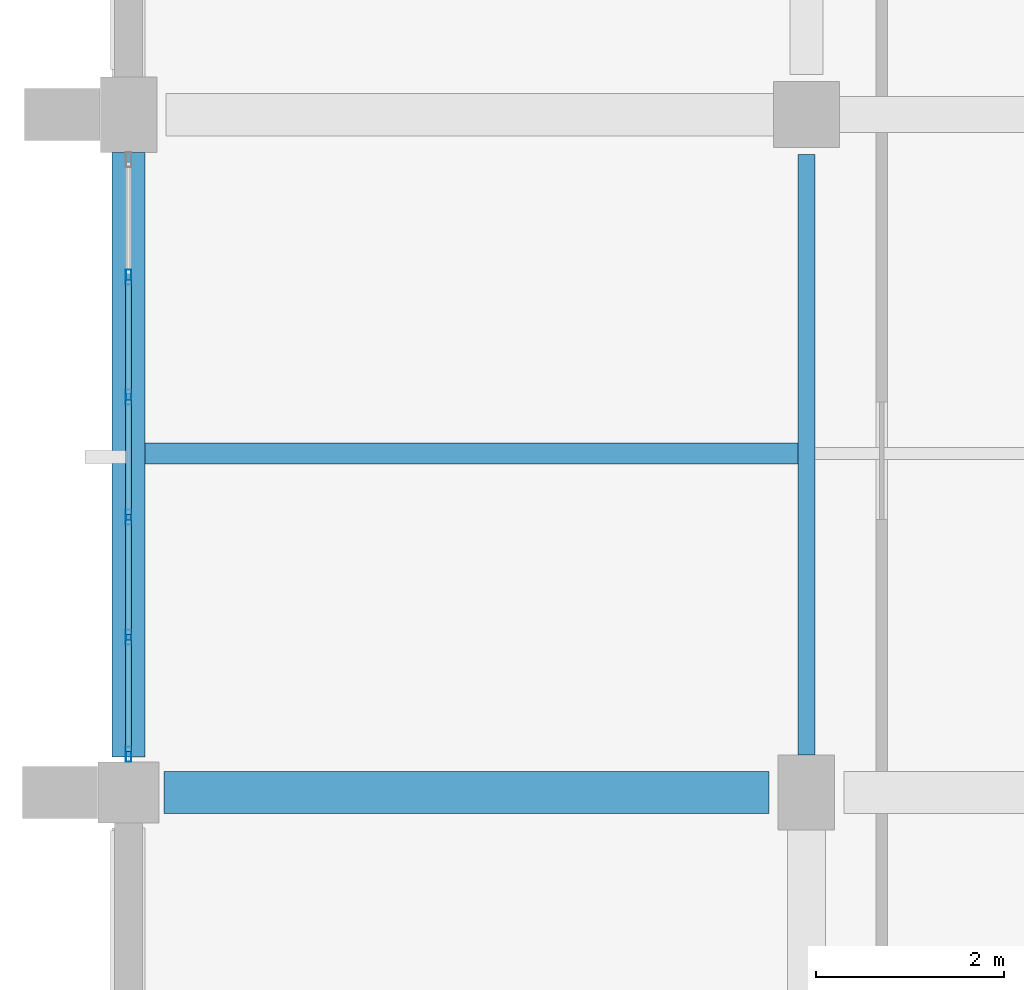
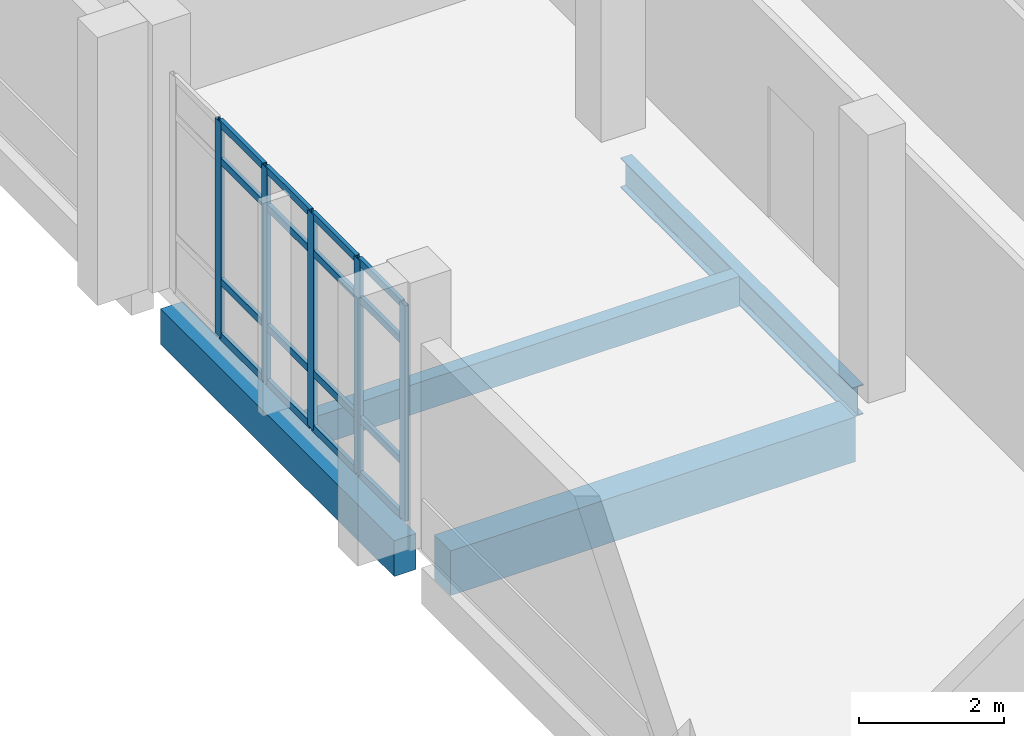
# One storey, part 33 of 124: 21 members, 4 beams, 1 element without a shape of its own.
"""IFC4 building model written with IfcOpenShell, lengths in metres."""

from ifc_helpers import new_model, si_unit, direction, frame, origin, origin_2d, place, context, subcontext, project, spatial, rectangle, hollow_rectangle, i_section, extrude, material, material_profile, profile_set, type_object, element, aggregate, save


model = new_model("IFC4")

# Units and contexts
model_context = context("Model", 3, precision=1e-05, world=origin(), true_north=direction((0.0, 1.0)))
body_context = subcontext(model_context, "Body", "Model", "MODEL_VIEW")
ifc_project = project(units=[si_unit("LENGTHUNIT", "METRE"), si_unit("AREAUNIT", "SQUARE_METRE"), si_unit("VOLUMEUNIT", "CUBIC_METRE"), si_unit("PLANEANGLEUNIT", "RADIAN"), si_unit("MASSUNIT", "GRAM", prefix="KILO")], contexts=[model_context])

# Site, building, storey
site_placement = place(None, origin())
site = spatial("IfcSite", under=ifc_project, at=site_placement, CompositionType="ELEMENT")
building_placement = place(site_placement, origin())
building = spatial("IfcBuilding", under=site, at=building_placement, Name="Kalluvel Institute of Natural Sciences", CompositionType="ELEMENT")
storey_placement = place(building_placement, frame((0.0, 0.0, 9.89990234375)))
storey = spatial("IfcBuildingStorey", under=building, at=storey_placement, Name="L02", CompositionType="ELEMENT", Elevation=9.89990234375)

# Beams
ifc_material_1 = material(Name="Steel E350 Grade 350", Category="steel")
ifc_material_profile_1 = material_profile(ifc_material_1, i_section(OverallWidth=0.179931640625, OverallDepth=0.5, WebThickness=0.01025390625, FlangeThickness=0.01708984375, FilletRadius=0.01708984375, at=origin_2d()), Name="ISMB 500")
ifc_profile_set_1 = profile_set([ifc_material_profile_1], Name="Steel E350 Grade 350")
beam_type_1 = type_object("IfcBeamType", Name="BM-ISMB500", PredefinedType="BEAM", material=ifc_profile_set_1)
beam_1_placement = place(storey_placement, frame((21.199951171875, 72.0, -0.5498046875), z_axis=(0.0, 1.0, 0.0), x_axis=(-1.0, 0.0, 0.0)))
element("IfcBeam", 1, at=beam_1_placement, inside=storey, type_object=beam_type_1, Name="L02 girder GIR-L02-NS-X212-Y716", PredefinedType="BEAM", context=body_context, shape_type="SweptSolid", body=[
    extrude(i_section(OverallWidth=0.179931640625, OverallDepth=0.5, WebThickness=0.01025390625, FlangeThickness=0.01708984375, FilletRadius=0.01708984375, at=origin_2d()), origin(), (0.0, 0.0, 1.0), 6.375),
])
ifc_material_2 = material(Name="Concrete M40", Category="concrete")
ifc_material_profile_2 = material_profile(ifc_material_2, rectangle(XDim=0.449951171875, YDim=0.75, at=origin_2d()), Name="RCB 450x750")
ifc_profile_set_2 = profile_set([ifc_material_profile_2], Name="Concrete M40")
beam_type_2 = type_object("IfcBeamType", Name="BM-RC450x750", PredefinedType="BEAM", material=ifc_profile_set_2)
beam_2_placement = place(storey_placement, frame((14.375, 71.60009765625, -0.6748046875), z_axis=(1.0, 0.0, 0.0), x_axis=(0.0, 1.0, 0.0)))
element("IfcBeam", 2, at=beam_2_placement, inside=storey, type_object=beam_type_2, Name="L02 girder GIR-L02-EW-X140-Y716", PredefinedType="BEAM", context=body_context, shape_type="SweptSolid", body=[
    extrude(rectangle(XDim=0.449951171875, YDim=0.75, at=origin_2d()), origin(), (0.0, 0.0, 1.0), 6.425048828125),
])

# Curtain wall, members
ifc_material_3 = material(Name="Aluminium AW-6063 T6", Category="aluminium")
curtain_wall_type = type_object("IfcCurtainWallType", Name="CW-DRY-45", PredefinedType="USERDEFINED", material=ifc_material_3)
curtain_wall_placement = place(storey_placement, origin())
curtain_wall = element("IfcCurtainWall", 3, at=curtain_wall_placement, inside=storey, type_object=curtain_wall_type, Name="L02 Gothic lancet curtain wall CWA-L02-X140-Y720", ObjectType="UNITISED LANCET FACADE", PredefinedType="USERDEFINED")
ifc_material_profile_3 = material_profile(ifc_material_3, hollow_rectangle(XDim=0.06005859375, YDim=0.159912109375, WallThickness=0.00390625, at=origin_2d()), Name="CWM 60x160")
ifc_profile_set_3 = profile_set([ifc_material_profile_3], Name="Aluminium AW-6063 T6")
member_type_1 = type_object("IfcMemberType", Name="CWM-60x160", PredefinedType="MULLION", material=ifc_profile_set_3)
member_1_placement = place(storey_placement, frame((14.0, 72.0048828125, 0.0), z_axis=(0.0, 0.0, 1.0), x_axis=(-1.0, 0.0, 0.0)))
member_1 = element("IfcMember", 4, at=member_1_placement, type_object=member_type_1, Name="CW-03 mullion 1", PredefinedType="MULLION", context=body_context, shape_type="SweptSolid", body=[
    extrude(hollow_rectangle(XDim=0.06005859375, YDim=0.159912109375, WallThickness=0.00390625, at=origin_2d()), origin(), (0.0, 0.0, 1.0), 3.6201171875),
])
member_2_placement = place(storey_placement, frame((14.0, 73.25, 0.0), z_axis=(0.0, 0.0, 1.0), x_axis=(-1.0, 0.0, 0.0)))
member_2 = element("IfcMember", 5, at=member_2_placement, type_object=member_type_1, Name="CW-03 mullion 2", PredefinedType="MULLION", context=body_context, shape_type="SweptSolid", body=[
    extrude(hollow_rectangle(XDim=0.06005859375, YDim=0.159912109375, WallThickness=0.00390625, at=origin_2d()), origin(), (0.0, 0.0, 1.0), 3.6201171875),
])
member_3_placement = place(storey_placement, frame((14.0, 74.52490234375, 0.0), z_axis=(0.0, 0.0, 1.0), x_axis=(-1.0, 0.0, 0.0)))
member_3 = element("IfcMember", 6, at=member_3_placement, type_object=member_type_1, Name="CW-03 mullion 3", PredefinedType="MULLION", context=body_context, shape_type="SweptSolid", body=[
    extrude(hollow_rectangle(XDim=0.06005859375, YDim=0.159912109375, WallThickness=0.00390625, at=origin_2d()), origin(), (0.0, 0.0, 1.0), 3.6201171875),
])
member_4_placement = place(storey_placement, frame((14.0, 75.800048828125, 0.0), z_axis=(0.0, 0.0, 1.0), x_axis=(-1.0, 0.0, 0.0)))
member_4 = element("IfcMember", 7, at=member_4_placement, type_object=member_type_1, Name="CW-03 mullion 4", PredefinedType="MULLION", context=body_context, shape_type="SweptSolid", body=[
    extrude(hollow_rectangle(XDim=0.06005859375, YDim=0.159912109375, WallThickness=0.00390625, at=origin_2d()), origin(), (0.0, 0.0, 1.0), 3.6201171875),
])
member_5_placement = place(storey_placement, frame((14.0, 77.074951171875, 0.0), z_axis=(0.0, 0.0, 1.0), x_axis=(-1.0, 0.0, 0.0)))
member_5 = element("IfcMember", 8, at=member_5_placement, type_object=member_type_1, Name="CW-03 mullion 5", PredefinedType="MULLION", context=body_context, shape_type="SweptSolid", body=[
    extrude(hollow_rectangle(XDim=0.06005859375, YDim=0.159912109375, WallThickness=0.00390625, at=origin_2d()), origin(), (0.0, 0.0, 1.0), 3.6201171875),
])
ifc_material_profile_4 = material_profile(ifc_material_3, hollow_rectangle(XDim=0.06005859375, YDim=0.1201171875, WallThickness=0.00390625, at=origin_2d()), Name="CWT 60x120")
ifc_profile_set_4 = profile_set([ifc_material_profile_4], Name="Aluminium AW-6063 T6")
member_type_2 = type_object("IfcMemberType", Name="CWT-60x120", PredefinedType="USERDEFINED", material=ifc_profile_set_4)
member_6_placement = place(storey_placement, frame((14.0, 72.034912109375, 0.030029296875), z_axis=(0.0, 1.0, 0.0), x_axis=(-1.0, 0.0, 0.0)))
member_6 = element("IfcMember", 9, at=member_6_placement, type_object=member_type_2, Name="CW-03 transom 1.1", ObjectType="TRANSOM", PredefinedType="USERDEFINED", context=body_context, shape_type="SweptSolid", body=[
    extrude(hollow_rectangle(XDim=0.06005859375, YDim=0.1201171875, WallThickness=0.00390625, at=origin_2d()), origin(), (0.0, 0.0, 1.0), 1.18505859375),
])
member_7_placement = place(storey_placement, frame((14.0, 72.034912109375, 0.9501953125), z_axis=(0.0, 1.0, 0.0), x_axis=(-1.0, 0.0, 0.0)))
member_7 = element("IfcMember", 10, at=member_7_placement, type_object=member_type_2, Name="CW-03 transom 1.2", ObjectType="TRANSOM", PredefinedType="USERDEFINED", context=body_context, shape_type="SweptSolid", body=[
    extrude(hollow_rectangle(XDim=0.06005859375, YDim=0.1201171875, WallThickness=0.00390625, at=origin_2d()), origin(), (0.0, 0.0, 1.0), 1.18505859375),
])
member_8_placement = place(storey_placement, frame((14.0, 72.034912109375, 2.97021484375), z_axis=(0.0, 1.0, 0.0), x_axis=(-1.0, 0.0, 0.0)))
member_8 = element("IfcMember", 11, at=member_8_placement, type_object=member_type_2, Name="CW-03 transom 1.3", ObjectType="TRANSOM", PredefinedType="USERDEFINED", context=body_context, shape_type="SweptSolid", body=[
    extrude(hollow_rectangle(XDim=0.06005859375, YDim=0.1201171875, WallThickness=0.00390625, at=origin_2d()), origin(), (0.0, 0.0, 1.0), 1.18505859375),
])
member_9_placement = place(storey_placement, frame((14.0, 72.034912109375, 3.590087890625), z_axis=(0.0, 1.0, 0.0), x_axis=(-1.0, 0.0, 0.0)))
member_9 = element("IfcMember", 12, at=member_9_placement, type_object=member_type_2, Name="CW-03 transom 1.4", ObjectType="TRANSOM", PredefinedType="USERDEFINED", context=body_context, shape_type="SweptSolid", body=[
    extrude(hollow_rectangle(XDim=0.06005859375, YDim=0.1201171875, WallThickness=0.00390625, at=origin_2d()), origin(), (0.0, 0.0, 1.0), 1.18505859375),
])
member_10_placement = place(storey_placement, frame((14.0, 73.280029296875, 0.030029296875), z_axis=(0.0, 1.0, 0.0), x_axis=(-1.0, 0.0, 0.0)))
member_10 = element("IfcMember", 13, at=member_10_placement, type_object=member_type_2, Name="CW-03 transom 2.1", ObjectType="TRANSOM", PredefinedType="USERDEFINED", context=body_context, shape_type="SweptSolid", body=[
    extrude(hollow_rectangle(XDim=0.06005859375, YDim=0.1201171875, WallThickness=0.00390625, at=origin_2d()), origin(), (0.0, 0.0, 1.0), 1.215087890625),
])
member_11_placement = place(storey_placement, frame((14.0, 73.280029296875, 0.9501953125), z_axis=(0.0, 1.0, 0.0), x_axis=(-1.0, 0.0, 0.0)))
member_11 = element("IfcMember", 14, at=member_11_placement, type_object=member_type_2, Name="CW-03 transom 2.2", ObjectType="TRANSOM", PredefinedType="USERDEFINED", context=body_context, shape_type="SweptSolid", body=[
    extrude(hollow_rectangle(XDim=0.06005859375, YDim=0.1201171875, WallThickness=0.00390625, at=origin_2d()), origin(), (0.0, 0.0, 1.0), 1.215087890625),
])
member_12_placement = place(storey_placement, frame((14.0, 73.280029296875, 2.97021484375), z_axis=(0.0, 1.0, 0.0), x_axis=(-1.0, 0.0, 0.0)))
member_12 = element("IfcMember", 15, at=member_12_placement, type_object=member_type_2, Name="CW-03 transom 2.3", ObjectType="TRANSOM", PredefinedType="USERDEFINED", context=body_context, shape_type="SweptSolid", body=[
    extrude(hollow_rectangle(XDim=0.06005859375, YDim=0.1201171875, WallThickness=0.00390625, at=origin_2d()), origin(), (0.0, 0.0, 1.0), 1.215087890625),
])
member_13_placement = place(storey_placement, frame((14.0, 73.280029296875, 3.590087890625), z_axis=(0.0, 1.0, 0.0), x_axis=(-1.0, 0.0, 0.0)))
member_13 = element("IfcMember", 16, at=member_13_placement, type_object=member_type_2, Name="CW-03 transom 2.4", ObjectType="TRANSOM", PredefinedType="USERDEFINED", context=body_context, shape_type="SweptSolid", body=[
    extrude(hollow_rectangle(XDim=0.06005859375, YDim=0.1201171875, WallThickness=0.00390625, at=origin_2d()), origin(), (0.0, 0.0, 1.0), 1.215087890625),
])
member_14_placement = place(storey_placement, frame((14.0, 74.554931640625, 0.030029296875), z_axis=(0.0, 1.0, 0.0), x_axis=(-1.0, 0.0, 0.0)))
member_14 = element("IfcMember", 17, at=member_14_placement, type_object=member_type_2, Name="CW-03 transom 3.1", ObjectType="TRANSOM", PredefinedType="USERDEFINED", context=body_context, shape_type="SweptSolid", body=[
    extrude(hollow_rectangle(XDim=0.06005859375, YDim=0.1201171875, WallThickness=0.00390625, at=origin_2d()), origin(), (0.0, 0.0, 1.0), 1.215087890625),
])
member_15_placement = place(storey_placement, frame((14.0, 74.554931640625, 0.9501953125), z_axis=(0.0, 1.0, 0.0), x_axis=(-1.0, 0.0, 0.0)))
member_15 = element("IfcMember", 18, at=member_15_placement, type_object=member_type_2, Name="CW-03 transom 3.2", ObjectType="TRANSOM", PredefinedType="USERDEFINED", context=body_context, shape_type="SweptSolid", body=[
    extrude(hollow_rectangle(XDim=0.06005859375, YDim=0.1201171875, WallThickness=0.00390625, at=origin_2d()), origin(), (0.0, 0.0, 1.0), 1.215087890625),
])
member_16_placement = place(storey_placement, frame((14.0, 74.554931640625, 2.97021484375), z_axis=(0.0, 1.0, 0.0), x_axis=(-1.0, 0.0, 0.0)))
member_16 = element("IfcMember", 19, at=member_16_placement, type_object=member_type_2, Name="CW-03 transom 3.3", ObjectType="TRANSOM", PredefinedType="USERDEFINED", context=body_context, shape_type="SweptSolid", body=[
    extrude(hollow_rectangle(XDim=0.06005859375, YDim=0.1201171875, WallThickness=0.00390625, at=origin_2d()), origin(), (0.0, 0.0, 1.0), 1.215087890625),
])
member_17_placement = place(storey_placement, frame((14.0, 74.554931640625, 3.590087890625), z_axis=(0.0, 1.0, 0.0), x_axis=(-1.0, 0.0, 0.0)))
member_17 = element("IfcMember", 20, at=member_17_placement, type_object=member_type_2, Name="CW-03 transom 3.4", ObjectType="TRANSOM", PredefinedType="USERDEFINED", context=body_context, shape_type="SweptSolid", body=[
    extrude(hollow_rectangle(XDim=0.06005859375, YDim=0.1201171875, WallThickness=0.00390625, at=origin_2d()), origin(), (0.0, 0.0, 1.0), 1.215087890625),
])
member_18_placement = place(storey_placement, frame((14.0, 75.830078125, 0.030029296875), z_axis=(0.0, 1.0, 0.0), x_axis=(-1.0, 0.0, 0.0)))
member_18 = element("IfcMember", 21, at=member_18_placement, type_object=member_type_2, Name="CW-03 transom 4.1", ObjectType="TRANSOM", PredefinedType="USERDEFINED", context=body_context, shape_type="SweptSolid", body=[
    extrude(hollow_rectangle(XDim=0.06005859375, YDim=0.1201171875, WallThickness=0.00390625, at=origin_2d()), origin(), (0.0, 0.0, 1.0), 1.21484375),
])
member_19_placement = place(storey_placement, frame((14.0, 75.830078125, 0.9501953125), z_axis=(0.0, 1.0, 0.0), x_axis=(-1.0, 0.0, 0.0)))
member_19 = element("IfcMember", 22, at=member_19_placement, type_object=member_type_2, Name="CW-03 transom 4.2", ObjectType="TRANSOM", PredefinedType="USERDEFINED", context=body_context, shape_type="SweptSolid", body=[
    extrude(hollow_rectangle(XDim=0.06005859375, YDim=0.1201171875, WallThickness=0.00390625, at=origin_2d()), origin(), (0.0, 0.0, 1.0), 1.21484375),
])
member_20_placement = place(storey_placement, frame((14.0, 75.830078125, 2.97021484375), z_axis=(0.0, 1.0, 0.0), x_axis=(-1.0, 0.0, 0.0)))
member_20 = element("IfcMember", 23, at=member_20_placement, type_object=member_type_2, Name="CW-03 transom 4.3", ObjectType="TRANSOM", PredefinedType="USERDEFINED", context=body_context, shape_type="SweptSolid", body=[
    extrude(hollow_rectangle(XDim=0.06005859375, YDim=0.1201171875, WallThickness=0.00390625, at=origin_2d()), origin(), (0.0, 0.0, 1.0), 1.21484375),
])
member_21_placement = place(storey_placement, frame((14.0, 75.830078125, 3.590087890625), z_axis=(0.0, 1.0, 0.0), x_axis=(-1.0, 0.0, 0.0)))
member_21 = element("IfcMember", 24, at=member_21_placement, type_object=member_type_2, Name="CW-03 transom 4.4", ObjectType="TRANSOM", PredefinedType="USERDEFINED", context=body_context, shape_type="SweptSolid", body=[
    extrude(hollow_rectangle(XDim=0.06005859375, YDim=0.1201171875, WallThickness=0.00390625, at=origin_2d()), origin(), (0.0, 0.0, 1.0), 1.21484375),
])
aggregate(curtain_wall, [member_1, member_2, member_3, member_4, member_5, member_6, member_7, member_8, member_9, member_10, member_11, member_12, member_13, member_14, member_15, member_16, member_17, member_18, member_19, member_20, member_21])

# Beams
ifc_material_profile_5 = material_profile(ifc_material_2, rectangle(XDim=0.35009765625, YDim=0.60009765625, at=origin_2d()), Name="RCB 350x600")
ifc_profile_set_5 = profile_set([ifc_material_profile_5], Name="Concrete M40")
beam_type_3 = type_object("IfcBeamType", Name="SP-RC350x600", PredefinedType="SPANDREL", material=ifc_profile_set_5)
beam_3_placement = place(storey_placement, frame((14.0, 71.97509765625, -0.599853515625), z_axis=(0.0, 1.0, 0.0), x_axis=(-1.0, 0.0, 0.0)))
element("IfcBeam", 25, at=beam_3_placement, inside=storey, type_object=beam_type_3, Name="L02 girder GIR-L02-NS-X140-Y716", PredefinedType="SPANDREL", context=body_context, shape_type="SweptSolid", body=[
    extrude(rectangle(XDim=0.35009765625, YDim=0.60009765625, at=origin_2d()), origin(), (0.0, 0.0, 1.0), 6.4248046875),
])
ifc_material_profile_6 = material_profile(ifc_material_2, rectangle(XDim=0.219970703125, YDim=0.5, at=origin_2d()), Name="WAF 220x500")
ifc_profile_set_6 = profile_set([ifc_material_profile_6], Name="Concrete M40")
beam_type_4 = type_object("IfcBeamType", Name="WJ-220x500", PredefinedType="JOIST", material=ifc_profile_set_6)
beam_4_placement = place(storey_placement, frame((14.175048828125, 75.199951171875, -0.5498046875), z_axis=(1.0, 0.0, 0.0), x_axis=(0.0, 1.0, 0.0)))
element("IfcBeam", 26, at=beam_4_placement, inside=storey, type_object=beam_type_4, Name="L02 floor rib RIB-L02-0674", PredefinedType="JOIST", context=body_context, shape_type="SweptSolid", body=[
    extrude(rectangle(XDim=0.219970703125, YDim=0.5, at=origin_2d()), origin(), (0.0, 0.0, 1.0), 6.93505859375),
])

save(model, "model.ifc")
